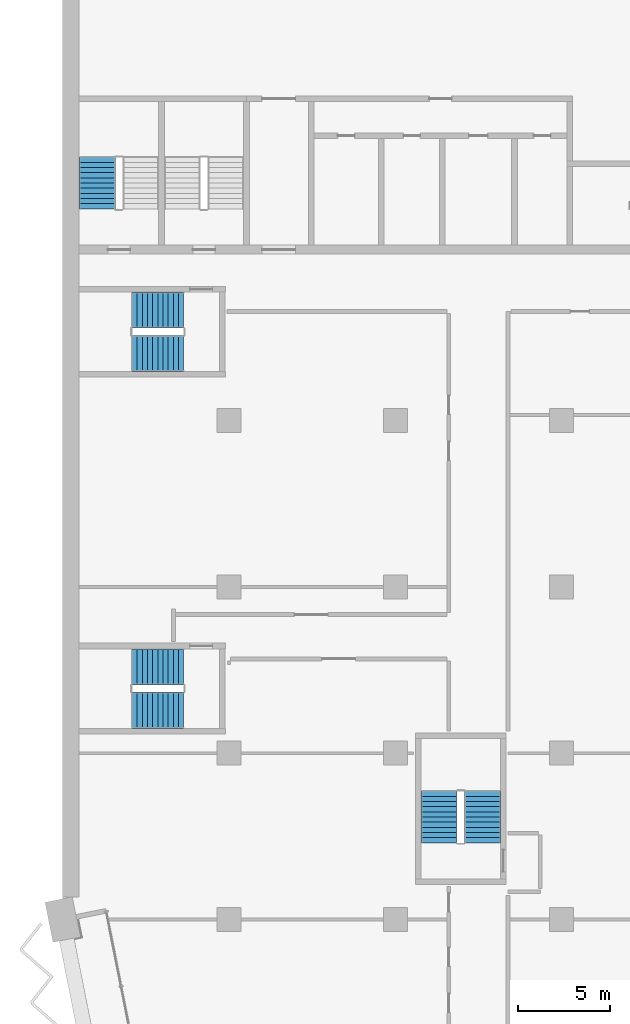
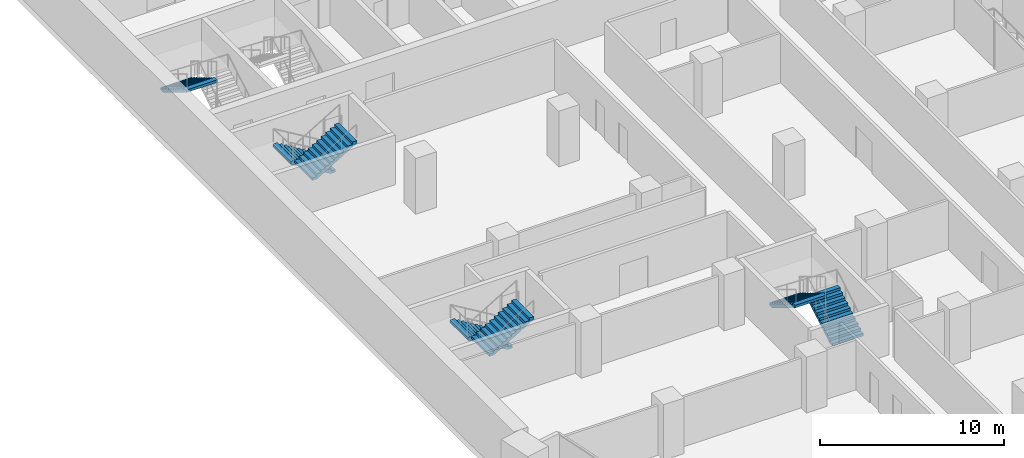
# One storey, part 16 of 23: 7 stair flights, 4 elements without a shape of their own.
"""IFC4 building model written with IfcOpenShell, lengths in metres."""

from ifc_helpers import new_model, si_unit, direction, frame, origin, place, context, subcontext, project, spatial, polyline, outline, extrude, material, type_object, element, aggregate, save


model = new_model("IFC4")

# Units and contexts
model_context = context("Model", 3, precision=1e-05, world=origin(), true_north=direction((0.0, 1.0)))
body_context = subcontext(model_context, "Body", "Model", "MODEL_VIEW")
ifc_project = project(units=[si_unit("LENGTHUNIT", "METRE"), si_unit("AREAUNIT", "SQUARE_METRE"), si_unit("VOLUMEUNIT", "CUBIC_METRE"), si_unit("PLANEANGLEUNIT", "RADIAN"), si_unit("MASSUNIT", "GRAM", prefix="KILO")], contexts=[model_context])

# Site, building, storey
site_placement = place(None, origin())
site = spatial("IfcSite", under=ifc_project, at=site_placement, CompositionType="ELEMENT")
building_placement = place(site_placement, origin())
building = spatial("IfcBuilding", under=site, at=building_placement, Name="Hunhe Ridgeline Campus", CompositionType="ELEMENT")
storey_placement = place(building_placement, frame((0.0, 0.0, 103.300048828125)))
storey = spatial("IfcBuildingStorey", under=building, at=storey_placement, Name="L25", CompositionType="ELEMENT", Elevation=103.300048828125)

# Stair, stair flight
ifc_material = material(Name="Concrete C40", Category="concrete")
stair_type = type_object("IfcStairType", Name="Reinforced concrete dog-leg stair 1950 Concrete C40", PredefinedType="HALF_TURN_STAIR", material=ifc_material)
stair_1_placement = place(storey_placement, origin())
stair_1 = element("IfcStair", 1, at=stair_1_placement, inside=storey, type_object=stair_type, Name="L25 S3", PredefinedType="HALF_TURN_STAIR")
stair_flight_type = type_object("IfcStairFlightType", Name="Reinforced concrete stair flight 1950 Concrete C40", PredefinedType="STRAIGHT", material=ifc_material)
stair_flight_1_placement = place(storey_placement, frame((1.875, 68.25, 1.849853515625), z_axis=(0.0, 0.0, 1.0), x_axis=(0.0, -1.0, 0.0)))
stair_flight_1 = element("IfcStairFlight", 2, at=stair_flight_1_placement, type_object=stair_flight_type, Name="ST3 flight 2", NumberOfRisers=11, NumberOfTreads=10, PredefinedType="STRAIGHT", RiserHeight=0.168181818, TreadLength=0.28, context=body_context, shape_type="SweptSolid", body=[
    extrude(outline(polyline([(0.0, 0.0), (0.0, 0.168212890625), (0.280029296875, 0.168212890625), (0.280029296875, 0.33642578125), (0.56005859375, 0.33642578125), (0.56005859375, 0.504638671875), (0.840087890625, 0.504638671875), (0.840087890625, 0.672607421875), (1.1201171875, 0.672607421875), (1.1201171875, 0.8408203125), (1.39990234375, 0.8408203125), (1.39990234375, 1.009033203125), (1.679931640625, 1.009033203125), (1.679931640625, 1.17724609375), (1.9599609375, 1.17724609375), (1.9599609375, 1.345458984375), (2.239990234375, 1.345458984375), (2.239990234375, 1.513671875), (2.52001953125, 1.513671875), (2.52001953125, 1.681884765625), (2.800048828125, 1.681884765625), (2.800048828125, 1.85009765625), (2.800048828125, 1.5068359375), (0.291015625, 0.0), (0.0, 0.0)])), frame((0.0, 0.97509765625, 0.0), z_axis=(0.0, -1.0, 0.0), x_axis=(1.0, 0.0, 0.0)), (0.0, 0.0, 1.0), 1.949951171875),
    extrude(outline(polyline([(0.030029296875, 0.030029296875), (0.030029296875, 0.13818359375), (0.31005859375, 0.13818359375), (0.31005859375, 0.306396484375), (0.590087890625, 0.306396484375), (0.590087890625, 0.474609375), (0.8701171875, 0.474609375), (0.8701171875, 0.642578125), (1.14990234375, 0.642578125), (1.14990234375, 0.810791015625), (1.429931640625, 0.810791015625), (1.429931640625, 0.97900390625), (1.7099609375, 0.97900390625), (1.7099609375, 1.147216796875), (1.989990234375, 1.147216796875), (1.989990234375, 1.3154296875), (2.27001953125, 1.3154296875), (2.27001953125, 1.483642578125), (2.550048828125, 1.483642578125), (2.550048828125, 1.65185546875), (2.77001953125, 1.65185546875), (2.77001953125, 1.52392578125), (0.28271484375, 0.030029296875), (0.030029296875, 0.030029296875)])), frame((0.0, -0.070068359375, 0.0), z_axis=(0.0, -1.0, 0.0), x_axis=(1.0, 0.0, 0.0)), (0.0, 0.0, 1.0), 0.019775390625),
    extrude(outline(polyline([(0.030029296875, 0.030029296875), (0.030029296875, 0.13818359375), (0.31005859375, 0.13818359375), (0.31005859375, 0.306396484375), (0.590087890625, 0.306396484375), (0.590087890625, 0.474609375), (0.8701171875, 0.474609375), (0.8701171875, 0.642578125), (1.14990234375, 0.642578125), (1.14990234375, 0.810791015625), (1.429931640625, 0.810791015625), (1.429931640625, 0.97900390625), (1.7099609375, 0.97900390625), (1.7099609375, 1.147216796875), (1.989990234375, 1.147216796875), (1.989990234375, 1.3154296875), (2.27001953125, 1.3154296875), (2.27001953125, 1.483642578125), (2.550048828125, 1.483642578125), (2.550048828125, 1.65185546875), (2.77001953125, 1.65185546875), (2.77001953125, 1.52392578125), (0.28271484375, 0.030029296875), (0.030029296875, 0.030029296875)])), frame((0.0, 0.010009765625, 0.0), z_axis=(0.0, -1.0, 0.0), x_axis=(1.0, 0.0, 0.0)), (0.0, 0.0, 1.0), 0.019775390625),
    extrude(outline(polyline([(0.030029296875, 0.030029296875), (0.030029296875, 0.13818359375), (0.31005859375, 0.13818359375), (0.31005859375, 0.306396484375), (0.590087890625, 0.306396484375), (0.590087890625, 0.474609375), (0.8701171875, 0.474609375), (0.8701171875, 0.642578125), (1.14990234375, 0.642578125), (1.14990234375, 0.810791015625), (1.429931640625, 0.810791015625), (1.429931640625, 0.97900390625), (1.7099609375, 0.97900390625), (1.7099609375, 1.147216796875), (1.989990234375, 1.147216796875), (1.989990234375, 1.3154296875), (2.27001953125, 1.3154296875), (2.27001953125, 1.483642578125), (2.550048828125, 1.483642578125), (2.550048828125, 1.65185546875), (2.77001953125, 1.65185546875), (2.77001953125, 1.52392578125), (0.28271484375, 0.030029296875), (0.030029296875, 0.030029296875)])), frame((0.0, 0.090087890625, 0.0), z_axis=(0.0, -1.0, 0.0), x_axis=(1.0, 0.0, 0.0)), (0.0, 0.0, 1.0), 0.019775390625),
])
aggregate(stair_1, [stair_flight_1])

# Stair, stair flights
stair_2_placement = place(storey_placement, origin())
stair_2 = element("IfcStair", 3, at=stair_2_placement, inside=storey, type_object=stair_type, Name="L25 W3", PredefinedType="HALF_TURN_STAIR")
stair_flight_2_placement = place(storey_placement, frame((22.72509765625, 31.14990234375, 0.0), z_axis=(0.0, 0.0, 1.0), x_axis=(0.0, 1.0, 0.0)))
stair_flight_2 = element("IfcStairFlight", 4, at=stair_flight_2_placement, type_object=stair_flight_type, Name="ST9 flight 1", NumberOfRisers=11, NumberOfTreads=10, PredefinedType="STRAIGHT", RiserHeight=0.168181818, TreadLength=0.28, context=body_context, shape_type="SweptSolid", body=[
    extrude(outline(polyline([(0.0, 0.0), (0.0, 0.168212890625), (0.280029296875, 0.168212890625), (0.280029296875, 0.33642578125), (0.56005859375, 0.33642578125), (0.56005859375, 0.504638671875), (0.840087890625, 0.504638671875), (0.840087890625, 0.672607421875), (1.1201171875, 0.672607421875), (1.1201171875, 0.8408203125), (1.39990234375, 0.8408203125), (1.39990234375, 1.009033203125), (1.679931640625, 1.009033203125), (1.679931640625, 1.17724609375), (1.9599609375, 1.17724609375), (1.9599609375, 1.345458984375), (2.239990234375, 1.345458984375), (2.239990234375, 1.513671875), (2.52001953125, 1.513671875), (2.52001953125, 1.681884765625), (2.800048828125, 1.681884765625), (2.800048828125, 1.85009765625), (2.800048828125, 1.5068359375), (0.291015625, 0.0), (0.0, 0.0)])), frame((0.0, 0.97509765625, 0.0), z_axis=(0.0, -1.0, 0.0), x_axis=(1.0, 0.0, 0.0)), (0.0, 0.0, 1.0), 1.949951171875),
    extrude(outline(polyline([(0.030029296875, 0.030029296875), (0.030029296875, 0.13818359375), (0.31005859375, 0.13818359375), (0.31005859375, 0.306396484375), (0.590087890625, 0.306396484375), (0.590087890625, 0.474609375), (0.8701171875, 0.474609375), (0.8701171875, 0.642578125), (1.14990234375, 0.642578125), (1.14990234375, 0.810791015625), (1.429931640625, 0.810791015625), (1.429931640625, 0.97900390625), (1.7099609375, 0.97900390625), (1.7099609375, 1.147216796875), (1.989990234375, 1.147216796875), (1.989990234375, 1.3154296875), (2.27001953125, 1.3154296875), (2.27001953125, 1.483642578125), (2.550048828125, 1.483642578125), (2.550048828125, 1.65185546875), (2.77001953125, 1.65185546875), (2.77001953125, 1.52392578125), (0.28271484375, 0.030029296875), (0.030029296875, 0.030029296875)])), frame((0.0, -0.070068359375, 0.0), z_axis=(0.0, -1.0, 0.0), x_axis=(1.0, 0.0, 0.0)), (0.0, 0.0, 1.0), 0.019775390625),
    extrude(outline(polyline([(0.030029296875, 0.030029296875), (0.030029296875, 0.13818359375), (0.31005859375, 0.13818359375), (0.31005859375, 0.306396484375), (0.590087890625, 0.306396484375), (0.590087890625, 0.474609375), (0.8701171875, 0.474609375), (0.8701171875, 0.642578125), (1.14990234375, 0.642578125), (1.14990234375, 0.810791015625), (1.429931640625, 0.810791015625), (1.429931640625, 0.97900390625), (1.7099609375, 0.97900390625), (1.7099609375, 1.147216796875), (1.989990234375, 1.147216796875), (1.989990234375, 1.3154296875), (2.27001953125, 1.3154296875), (2.27001953125, 1.483642578125), (2.550048828125, 1.483642578125), (2.550048828125, 1.65185546875), (2.77001953125, 1.65185546875), (2.77001953125, 1.52392578125), (0.28271484375, 0.030029296875), (0.030029296875, 0.030029296875)])), frame((0.0, 0.010009765625, 0.0), z_axis=(0.0, -1.0, 0.0), x_axis=(1.0, 0.0, 0.0)), (0.0, 0.0, 1.0), 0.019775390625),
    extrude(outline(polyline([(0.030029296875, 0.030029296875), (0.030029296875, 0.13818359375), (0.31005859375, 0.13818359375), (0.31005859375, 0.306396484375), (0.590087890625, 0.306396484375), (0.590087890625, 0.474609375), (0.8701171875, 0.474609375), (0.8701171875, 0.642578125), (1.14990234375, 0.642578125), (1.14990234375, 0.810791015625), (1.429931640625, 0.810791015625), (1.429931640625, 0.97900390625), (1.7099609375, 0.97900390625), (1.7099609375, 1.147216796875), (1.989990234375, 1.147216796875), (1.989990234375, 1.3154296875), (2.27001953125, 1.3154296875), (2.27001953125, 1.483642578125), (2.550048828125, 1.483642578125), (2.550048828125, 1.65185546875), (2.77001953125, 1.65185546875), (2.77001953125, 1.52392578125), (0.28271484375, 0.030029296875), (0.030029296875, 0.030029296875)])), frame((0.0, 0.090087890625, 0.0), z_axis=(0.0, -1.0, 0.0), x_axis=(1.0, 0.0, 0.0)), (0.0, 0.0, 1.0), 0.019775390625),
])
stair_flight_3_placement = place(storey_placement, frame((20.375, 33.949951171875, 1.849853515625), z_axis=(0.0, 0.0, 1.0), x_axis=(0.0, -1.0, 0.0)))
stair_flight_3 = element("IfcStairFlight", 5, at=stair_flight_3_placement, type_object=stair_flight_type, Name="ST9 flight 2", NumberOfRisers=11, NumberOfTreads=10, PredefinedType="STRAIGHT", RiserHeight=0.168181818, TreadLength=0.28, context=body_context, shape_type="SweptSolid", body=[
    extrude(outline(polyline([(0.0, 0.0), (0.0, 0.168212890625), (0.280029296875, 0.168212890625), (0.280029296875, 0.33642578125), (0.56005859375, 0.33642578125), (0.56005859375, 0.504638671875), (0.840087890625, 0.504638671875), (0.840087890625, 0.672607421875), (1.1201171875, 0.672607421875), (1.1201171875, 0.8408203125), (1.39990234375, 0.8408203125), (1.39990234375, 1.009033203125), (1.679931640625, 1.009033203125), (1.679931640625, 1.17724609375), (1.9599609375, 1.17724609375), (1.9599609375, 1.345458984375), (2.239990234375, 1.345458984375), (2.239990234375, 1.513671875), (2.52001953125, 1.513671875), (2.52001953125, 1.681884765625), (2.800048828125, 1.681884765625), (2.800048828125, 1.85009765625), (2.800048828125, 1.5068359375), (0.291015625, 0.0), (0.0, 0.0)])), frame((0.0, 0.97509765625, 0.0), z_axis=(0.0, -1.0, 0.0), x_axis=(1.0, 0.0, 0.0)), (0.0, 0.0, 1.0), 1.949951171875),
    extrude(outline(polyline([(0.030029296875, 0.030029296875), (0.030029296875, 0.13818359375), (0.31005859375, 0.13818359375), (0.31005859375, 0.306396484375), (0.590087890625, 0.306396484375), (0.590087890625, 0.474609375), (0.8701171875, 0.474609375), (0.8701171875, 0.642578125), (1.14990234375, 0.642578125), (1.14990234375, 0.810791015625), (1.429931640625, 0.810791015625), (1.429931640625, 0.97900390625), (1.7099609375, 0.97900390625), (1.7099609375, 1.147216796875), (1.989990234375, 1.147216796875), (1.989990234375, 1.3154296875), (2.27001953125, 1.3154296875), (2.27001953125, 1.483642578125), (2.550048828125, 1.483642578125), (2.550048828125, 1.65185546875), (2.77001953125, 1.65185546875), (2.77001953125, 1.52392578125), (0.28271484375, 0.030029296875), (0.030029296875, 0.030029296875)])), frame((0.0, -0.070068359375, 0.0), z_axis=(0.0, -1.0, 0.0), x_axis=(1.0, 0.0, 0.0)), (0.0, 0.0, 1.0), 0.019775390625),
    extrude(outline(polyline([(0.030029296875, 0.030029296875), (0.030029296875, 0.13818359375), (0.31005859375, 0.13818359375), (0.31005859375, 0.306396484375), (0.590087890625, 0.306396484375), (0.590087890625, 0.474609375), (0.8701171875, 0.474609375), (0.8701171875, 0.642578125), (1.14990234375, 0.642578125), (1.14990234375, 0.810791015625), (1.429931640625, 0.810791015625), (1.429931640625, 0.97900390625), (1.7099609375, 0.97900390625), (1.7099609375, 1.147216796875), (1.989990234375, 1.147216796875), (1.989990234375, 1.3154296875), (2.27001953125, 1.3154296875), (2.27001953125, 1.483642578125), (2.550048828125, 1.483642578125), (2.550048828125, 1.65185546875), (2.77001953125, 1.65185546875), (2.77001953125, 1.52392578125), (0.28271484375, 0.030029296875), (0.030029296875, 0.030029296875)])), frame((0.0, 0.010009765625, 0.0), z_axis=(0.0, -1.0, 0.0), x_axis=(1.0, 0.0, 0.0)), (0.0, 0.0, 1.0), 0.019775390625),
    extrude(outline(polyline([(0.030029296875, 0.030029296875), (0.030029296875, 0.13818359375), (0.31005859375, 0.13818359375), (0.31005859375, 0.306396484375), (0.590087890625, 0.306396484375), (0.590087890625, 0.474609375), (0.8701171875, 0.474609375), (0.8701171875, 0.642578125), (1.14990234375, 0.642578125), (1.14990234375, 0.810791015625), (1.429931640625, 0.810791015625), (1.429931640625, 0.97900390625), (1.7099609375, 0.97900390625), (1.7099609375, 1.147216796875), (1.989990234375, 1.147216796875), (1.989990234375, 1.3154296875), (2.27001953125, 1.3154296875), (2.27001953125, 1.483642578125), (2.550048828125, 1.483642578125), (2.550048828125, 1.65185546875), (2.77001953125, 1.65185546875), (2.77001953125, 1.52392578125), (0.28271484375, 0.030029296875), (0.030029296875, 0.030029296875)])), frame((0.0, 0.090087890625, 0.0), z_axis=(0.0, -1.0, 0.0), x_axis=(1.0, 0.0, 0.0)), (0.0, 0.0, 1.0), 0.019775390625),
])
aggregate(stair_2, [stair_flight_2, stair_flight_3])

stair_3_placement = place(storey_placement, origin())
stair_3 = element("IfcStair", 6, at=stair_3_placement, inside=storey, type_object=stair_type, Name="L25 W1", PredefinedType="HALF_TURN_STAIR")
stair_flight_4_placement = place(storey_placement, frame((6.550048828125, 40.675048828125, 0.0), z_axis=(0.0, 0.0, 1.0), x_axis=(-1.0, 0.0, 0.0)))
stair_flight_4 = element("IfcStairFlight", 7, at=stair_flight_4_placement, type_object=stair_flight_type, Name="ST11 flight 1", NumberOfRisers=11, NumberOfTreads=10, PredefinedType="STRAIGHT", RiserHeight=0.168181818, TreadLength=0.28, context=body_context, shape_type="SweptSolid", body=[
    extrude(outline(polyline([(0.0, 0.0), (0.0, 0.168212890625), (0.280029296875, 0.168212890625), (0.280029296875, 0.33642578125), (0.56005859375, 0.33642578125), (0.56005859375, 0.504638671875), (0.840087890625, 0.504638671875), (0.840087890625, 0.672607421875), (1.1201171875, 0.672607421875), (1.1201171875, 0.8408203125), (1.39990234375, 0.8408203125), (1.39990234375, 1.009033203125), (1.679931640625, 1.009033203125), (1.679931640625, 1.17724609375), (1.9599609375, 1.17724609375), (1.9599609375, 1.345458984375), (2.239990234375, 1.345458984375), (2.239990234375, 1.513671875), (2.52001953125, 1.513671875), (2.52001953125, 1.681884765625), (2.800048828125, 1.681884765625), (2.800048828125, 1.85009765625), (2.800048828125, 1.5068359375), (0.291015625, 0.0), (0.0, 0.0)])), frame((0.0, 0.97509765625, 0.0), z_axis=(0.0, -1.0, 0.0), x_axis=(1.0, 0.0, 0.0)), (0.0, 0.0, 1.0), 1.949951171875),
    extrude(outline(polyline([(0.030029296875, 0.030029296875), (0.030029296875, 0.13818359375), (0.31005859375, 0.13818359375), (0.31005859375, 0.306396484375), (0.590087890625, 0.306396484375), (0.590087890625, 0.474609375), (0.8701171875, 0.474609375), (0.8701171875, 0.642578125), (1.14990234375, 0.642578125), (1.14990234375, 0.810791015625), (1.429931640625, 0.810791015625), (1.429931640625, 0.97900390625), (1.7099609375, 0.97900390625), (1.7099609375, 1.147216796875), (1.989990234375, 1.147216796875), (1.989990234375, 1.3154296875), (2.27001953125, 1.3154296875), (2.27001953125, 1.483642578125), (2.550048828125, 1.483642578125), (2.550048828125, 1.65185546875), (2.77001953125, 1.65185546875), (2.77001953125, 1.52392578125), (0.28271484375, 0.030029296875), (0.030029296875, 0.030029296875)])), frame((0.0, -0.070068359375, 0.0), z_axis=(0.0, -1.0, 0.0), x_axis=(1.0, 0.0, 0.0)), (0.0, 0.0, 1.0), 0.019775390625),
    extrude(outline(polyline([(0.030029296875, 0.030029296875), (0.030029296875, 0.13818359375), (0.31005859375, 0.13818359375), (0.31005859375, 0.306396484375), (0.590087890625, 0.306396484375), (0.590087890625, 0.474609375), (0.8701171875, 0.474609375), (0.8701171875, 0.642578125), (1.14990234375, 0.642578125), (1.14990234375, 0.810791015625), (1.429931640625, 0.810791015625), (1.429931640625, 0.97900390625), (1.7099609375, 0.97900390625), (1.7099609375, 1.147216796875), (1.989990234375, 1.147216796875), (1.989990234375, 1.3154296875), (2.27001953125, 1.3154296875), (2.27001953125, 1.483642578125), (2.550048828125, 1.483642578125), (2.550048828125, 1.65185546875), (2.77001953125, 1.65185546875), (2.77001953125, 1.52392578125), (0.28271484375, 0.030029296875), (0.030029296875, 0.030029296875)])), frame((0.0, 0.010009765625, 0.0), z_axis=(0.0, -1.0, 0.0), x_axis=(1.0, 0.0, 0.0)), (0.0, 0.0, 1.0), 0.019775390625),
    extrude(outline(polyline([(0.030029296875, 0.030029296875), (0.030029296875, 0.13818359375), (0.31005859375, 0.13818359375), (0.31005859375, 0.306396484375), (0.590087890625, 0.306396484375), (0.590087890625, 0.474609375), (0.8701171875, 0.474609375), (0.8701171875, 0.642578125), (1.14990234375, 0.642578125), (1.14990234375, 0.810791015625), (1.429931640625, 0.810791015625), (1.429931640625, 0.97900390625), (1.7099609375, 0.97900390625), (1.7099609375, 1.147216796875), (1.989990234375, 1.147216796875), (1.989990234375, 1.3154296875), (2.27001953125, 1.3154296875), (2.27001953125, 1.483642578125), (2.550048828125, 1.483642578125), (2.550048828125, 1.65185546875), (2.77001953125, 1.65185546875), (2.77001953125, 1.52392578125), (0.28271484375, 0.030029296875), (0.030029296875, 0.030029296875)])), frame((0.0, 0.090087890625, 0.0), z_axis=(0.0, -1.0, 0.0), x_axis=(1.0, 0.0, 0.0)), (0.0, 0.0, 1.0), 0.019775390625),
])
stair_flight_5_placement = place(storey_placement, frame((3.75, 38.324951171875, 1.849853515625), z_axis=(0.0, 0.0, 1.0), x_axis=(1.0, 0.0, 0.0)))
stair_flight_5 = element("IfcStairFlight", 8, at=stair_flight_5_placement, type_object=stair_flight_type, Name="ST11 flight 2", NumberOfRisers=11, NumberOfTreads=10, PredefinedType="STRAIGHT", RiserHeight=0.168181818, TreadLength=0.28, context=body_context, shape_type="SweptSolid", body=[
    extrude(outline(polyline([(0.0, 0.0), (0.0, 0.168212890625), (0.280029296875, 0.168212890625), (0.280029296875, 0.33642578125), (0.56005859375, 0.33642578125), (0.56005859375, 0.504638671875), (0.840087890625, 0.504638671875), (0.840087890625, 0.672607421875), (1.1201171875, 0.672607421875), (1.1201171875, 0.8408203125), (1.39990234375, 0.8408203125), (1.39990234375, 1.009033203125), (1.679931640625, 1.009033203125), (1.679931640625, 1.17724609375), (1.9599609375, 1.17724609375), (1.9599609375, 1.345458984375), (2.239990234375, 1.345458984375), (2.239990234375, 1.513671875), (2.52001953125, 1.513671875), (2.52001953125, 1.681884765625), (2.800048828125, 1.681884765625), (2.800048828125, 1.85009765625), (2.800048828125, 1.5068359375), (0.291015625, 0.0), (0.0, 0.0)])), frame((0.0, 0.97509765625, 0.0), z_axis=(0.0, -1.0, 0.0), x_axis=(1.0, 0.0, 0.0)), (0.0, 0.0, 1.0), 1.949951171875),
    extrude(outline(polyline([(0.030029296875, 0.030029296875), (0.030029296875, 0.13818359375), (0.31005859375, 0.13818359375), (0.31005859375, 0.306396484375), (0.590087890625, 0.306396484375), (0.590087890625, 0.474609375), (0.8701171875, 0.474609375), (0.8701171875, 0.642578125), (1.14990234375, 0.642578125), (1.14990234375, 0.810791015625), (1.429931640625, 0.810791015625), (1.429931640625, 0.97900390625), (1.7099609375, 0.97900390625), (1.7099609375, 1.147216796875), (1.989990234375, 1.147216796875), (1.989990234375, 1.3154296875), (2.27001953125, 1.3154296875), (2.27001953125, 1.483642578125), (2.550048828125, 1.483642578125), (2.550048828125, 1.65185546875), (2.77001953125, 1.65185546875), (2.77001953125, 1.52392578125), (0.28271484375, 0.030029296875), (0.030029296875, 0.030029296875)])), frame((0.0, -0.070068359375, 0.0), z_axis=(0.0, -1.0, 0.0), x_axis=(1.0, 0.0, 0.0)), (0.0, 0.0, 1.0), 0.019775390625),
    extrude(outline(polyline([(0.030029296875, 0.030029296875), (0.030029296875, 0.13818359375), (0.31005859375, 0.13818359375), (0.31005859375, 0.306396484375), (0.590087890625, 0.306396484375), (0.590087890625, 0.474609375), (0.8701171875, 0.474609375), (0.8701171875, 0.642578125), (1.14990234375, 0.642578125), (1.14990234375, 0.810791015625), (1.429931640625, 0.810791015625), (1.429931640625, 0.97900390625), (1.7099609375, 0.97900390625), (1.7099609375, 1.147216796875), (1.989990234375, 1.147216796875), (1.989990234375, 1.3154296875), (2.27001953125, 1.3154296875), (2.27001953125, 1.483642578125), (2.550048828125, 1.483642578125), (2.550048828125, 1.65185546875), (2.77001953125, 1.65185546875), (2.77001953125, 1.52392578125), (0.28271484375, 0.030029296875), (0.030029296875, 0.030029296875)])), frame((0.0, 0.010009765625, 0.0), z_axis=(0.0, -1.0, 0.0), x_axis=(1.0, 0.0, 0.0)), (0.0, 0.0, 1.0), 0.019775390625),
    extrude(outline(polyline([(0.030029296875, 0.030029296875), (0.030029296875, 0.13818359375), (0.31005859375, 0.13818359375), (0.31005859375, 0.306396484375), (0.590087890625, 0.306396484375), (0.590087890625, 0.474609375), (0.8701171875, 0.474609375), (0.8701171875, 0.642578125), (1.14990234375, 0.642578125), (1.14990234375, 0.810791015625), (1.429931640625, 0.810791015625), (1.429931640625, 0.97900390625), (1.7099609375, 0.97900390625), (1.7099609375, 1.147216796875), (1.989990234375, 1.147216796875), (1.989990234375, 1.3154296875), (2.27001953125, 1.3154296875), (2.27001953125, 1.483642578125), (2.550048828125, 1.483642578125), (2.550048828125, 1.65185546875), (2.77001953125, 1.65185546875), (2.77001953125, 1.52392578125), (0.28271484375, 0.030029296875), (0.030029296875, 0.030029296875)])), frame((0.0, 0.090087890625, 0.0), z_axis=(0.0, -1.0, 0.0), x_axis=(1.0, 0.0, 0.0)), (0.0, 0.0, 1.0), 0.019775390625),
])
aggregate(stair_3, [stair_flight_4, stair_flight_5])

stair_4_placement = place(storey_placement, origin())
stair_4 = element("IfcStair", 9, at=stair_4_placement, inside=storey, type_object=stair_type, Name="L25 W2", PredefinedType="HALF_TURN_STAIR")
stair_flight_6_placement = place(storey_placement, frame((6.550048828125, 59.97509765625, 0.0), z_axis=(0.0, 0.0, 1.0), x_axis=(-1.0, 0.0, 0.0)))
stair_flight_6 = element("IfcStairFlight", 10, at=stair_flight_6_placement, type_object=stair_flight_type, Name="ST12 flight 1", NumberOfRisers=11, NumberOfTreads=10, PredefinedType="STRAIGHT", RiserHeight=0.168181818, TreadLength=0.28, context=body_context, shape_type="SweptSolid", body=[
    extrude(outline(polyline([(0.0, 0.0), (0.0, 0.168212890625), (0.280029296875, 0.168212890625), (0.280029296875, 0.33642578125), (0.56005859375, 0.33642578125), (0.56005859375, 0.504638671875), (0.840087890625, 0.504638671875), (0.840087890625, 0.672607421875), (1.1201171875, 0.672607421875), (1.1201171875, 0.8408203125), (1.39990234375, 0.8408203125), (1.39990234375, 1.009033203125), (1.679931640625, 1.009033203125), (1.679931640625, 1.17724609375), (1.9599609375, 1.17724609375), (1.9599609375, 1.345458984375), (2.239990234375, 1.345458984375), (2.239990234375, 1.513671875), (2.52001953125, 1.513671875), (2.52001953125, 1.681884765625), (2.800048828125, 1.681884765625), (2.800048828125, 1.85009765625), (2.800048828125, 1.5068359375), (0.291015625, 0.0), (0.0, 0.0)])), frame((0.0, 0.97509765625, 0.0), z_axis=(0.0, -1.0, 0.0), x_axis=(1.0, 0.0, 0.0)), (0.0, 0.0, 1.0), 1.949951171875),
    extrude(outline(polyline([(0.030029296875, 0.030029296875), (0.030029296875, 0.13818359375), (0.31005859375, 0.13818359375), (0.31005859375, 0.306396484375), (0.590087890625, 0.306396484375), (0.590087890625, 0.474609375), (0.8701171875, 0.474609375), (0.8701171875, 0.642578125), (1.14990234375, 0.642578125), (1.14990234375, 0.810791015625), (1.429931640625, 0.810791015625), (1.429931640625, 0.97900390625), (1.7099609375, 0.97900390625), (1.7099609375, 1.147216796875), (1.989990234375, 1.147216796875), (1.989990234375, 1.3154296875), (2.27001953125, 1.3154296875), (2.27001953125, 1.483642578125), (2.550048828125, 1.483642578125), (2.550048828125, 1.65185546875), (2.77001953125, 1.65185546875), (2.77001953125, 1.52392578125), (0.28271484375, 0.030029296875), (0.030029296875, 0.030029296875)])), frame((0.0, -0.070068359375, 0.0), z_axis=(0.0, -1.0, 0.0), x_axis=(1.0, 0.0, 0.0)), (0.0, 0.0, 1.0), 0.019775390625),
    extrude(outline(polyline([(0.030029296875, 0.030029296875), (0.030029296875, 0.13818359375), (0.31005859375, 0.13818359375), (0.31005859375, 0.306396484375), (0.590087890625, 0.306396484375), (0.590087890625, 0.474609375), (0.8701171875, 0.474609375), (0.8701171875, 0.642578125), (1.14990234375, 0.642578125), (1.14990234375, 0.810791015625), (1.429931640625, 0.810791015625), (1.429931640625, 0.97900390625), (1.7099609375, 0.97900390625), (1.7099609375, 1.147216796875), (1.989990234375, 1.147216796875), (1.989990234375, 1.3154296875), (2.27001953125, 1.3154296875), (2.27001953125, 1.483642578125), (2.550048828125, 1.483642578125), (2.550048828125, 1.65185546875), (2.77001953125, 1.65185546875), (2.77001953125, 1.52392578125), (0.28271484375, 0.030029296875), (0.030029296875, 0.030029296875)])), frame((0.0, 0.010009765625, 0.0), z_axis=(0.0, -1.0, 0.0), x_axis=(1.0, 0.0, 0.0)), (0.0, 0.0, 1.0), 0.019775390625),
    extrude(outline(polyline([(0.030029296875, 0.030029296875), (0.030029296875, 0.13818359375), (0.31005859375, 0.13818359375), (0.31005859375, 0.306396484375), (0.590087890625, 0.306396484375), (0.590087890625, 0.474609375), (0.8701171875, 0.474609375), (0.8701171875, 0.642578125), (1.14990234375, 0.642578125), (1.14990234375, 0.810791015625), (1.429931640625, 0.810791015625), (1.429931640625, 0.97900390625), (1.7099609375, 0.97900390625), (1.7099609375, 1.147216796875), (1.989990234375, 1.147216796875), (1.989990234375, 1.3154296875), (2.27001953125, 1.3154296875), (2.27001953125, 1.483642578125), (2.550048828125, 1.483642578125), (2.550048828125, 1.65185546875), (2.77001953125, 1.65185546875), (2.77001953125, 1.52392578125), (0.28271484375, 0.030029296875), (0.030029296875, 0.030029296875)])), frame((0.0, 0.090087890625, 0.0), z_axis=(0.0, -1.0, 0.0), x_axis=(1.0, 0.0, 0.0)), (0.0, 0.0, 1.0), 0.019775390625),
])
stair_flight_7_placement = place(storey_placement, frame((3.75, 57.625, 1.849853515625), z_axis=(0.0, 0.0, 1.0), x_axis=(1.0, 0.0, 0.0)))
stair_flight_7 = element("IfcStairFlight", 11, at=stair_flight_7_placement, type_object=stair_flight_type, Name="ST12 flight 2", NumberOfRisers=11, NumberOfTreads=10, PredefinedType="STRAIGHT", RiserHeight=0.168181818, TreadLength=0.28, context=body_context, shape_type="SweptSolid", body=[
    extrude(outline(polyline([(0.0, 0.0), (0.0, 0.168212890625), (0.280029296875, 0.168212890625), (0.280029296875, 0.33642578125), (0.56005859375, 0.33642578125), (0.56005859375, 0.504638671875), (0.840087890625, 0.504638671875), (0.840087890625, 0.672607421875), (1.1201171875, 0.672607421875), (1.1201171875, 0.8408203125), (1.39990234375, 0.8408203125), (1.39990234375, 1.009033203125), (1.679931640625, 1.009033203125), (1.679931640625, 1.17724609375), (1.9599609375, 1.17724609375), (1.9599609375, 1.345458984375), (2.239990234375, 1.345458984375), (2.239990234375, 1.513671875), (2.52001953125, 1.513671875), (2.52001953125, 1.681884765625), (2.800048828125, 1.681884765625), (2.800048828125, 1.85009765625), (2.800048828125, 1.5068359375), (0.291015625, 0.0), (0.0, 0.0)])), frame((0.0, 0.97509765625, 0.0), z_axis=(0.0, -1.0, 0.0), x_axis=(1.0, 0.0, 0.0)), (0.0, 0.0, 1.0), 1.949951171875),
    extrude(outline(polyline([(0.030029296875, 0.030029296875), (0.030029296875, 0.13818359375), (0.31005859375, 0.13818359375), (0.31005859375, 0.306396484375), (0.590087890625, 0.306396484375), (0.590087890625, 0.474609375), (0.8701171875, 0.474609375), (0.8701171875, 0.642578125), (1.14990234375, 0.642578125), (1.14990234375, 0.810791015625), (1.429931640625, 0.810791015625), (1.429931640625, 0.97900390625), (1.7099609375, 0.97900390625), (1.7099609375, 1.147216796875), (1.989990234375, 1.147216796875), (1.989990234375, 1.3154296875), (2.27001953125, 1.3154296875), (2.27001953125, 1.483642578125), (2.550048828125, 1.483642578125), (2.550048828125, 1.65185546875), (2.77001953125, 1.65185546875), (2.77001953125, 1.52392578125), (0.28271484375, 0.030029296875), (0.030029296875, 0.030029296875)])), frame((0.0, -0.070068359375, 0.0), z_axis=(0.0, -1.0, 0.0), x_axis=(1.0, 0.0, 0.0)), (0.0, 0.0, 1.0), 0.019775390625),
    extrude(outline(polyline([(0.030029296875, 0.030029296875), (0.030029296875, 0.13818359375), (0.31005859375, 0.13818359375), (0.31005859375, 0.306396484375), (0.590087890625, 0.306396484375), (0.590087890625, 0.474609375), (0.8701171875, 0.474609375), (0.8701171875, 0.642578125), (1.14990234375, 0.642578125), (1.14990234375, 0.810791015625), (1.429931640625, 0.810791015625), (1.429931640625, 0.97900390625), (1.7099609375, 0.97900390625), (1.7099609375, 1.147216796875), (1.989990234375, 1.147216796875), (1.989990234375, 1.3154296875), (2.27001953125, 1.3154296875), (2.27001953125, 1.483642578125), (2.550048828125, 1.483642578125), (2.550048828125, 1.65185546875), (2.77001953125, 1.65185546875), (2.77001953125, 1.52392578125), (0.28271484375, 0.030029296875), (0.030029296875, 0.030029296875)])), frame((0.0, 0.010009765625, 0.0), z_axis=(0.0, -1.0, 0.0), x_axis=(1.0, 0.0, 0.0)), (0.0, 0.0, 1.0), 0.019775390625),
    extrude(outline(polyline([(0.030029296875, 0.030029296875), (0.030029296875, 0.13818359375), (0.31005859375, 0.13818359375), (0.31005859375, 0.306396484375), (0.590087890625, 0.306396484375), (0.590087890625, 0.474609375), (0.8701171875, 0.474609375), (0.8701171875, 0.642578125), (1.14990234375, 0.642578125), (1.14990234375, 0.810791015625), (1.429931640625, 0.810791015625), (1.429931640625, 0.97900390625), (1.7099609375, 0.97900390625), (1.7099609375, 1.147216796875), (1.989990234375, 1.147216796875), (1.989990234375, 1.3154296875), (2.27001953125, 1.3154296875), (2.27001953125, 1.483642578125), (2.550048828125, 1.483642578125), (2.550048828125, 1.65185546875), (2.77001953125, 1.65185546875), (2.77001953125, 1.52392578125), (0.28271484375, 0.030029296875), (0.030029296875, 0.030029296875)])), frame((0.0, 0.090087890625, 0.0), z_axis=(0.0, -1.0, 0.0), x_axis=(1.0, 0.0, 0.0)), (0.0, 0.0, 1.0), 0.019775390625),
])
aggregate(stair_4, [stair_flight_6, stair_flight_7])

save(model, "model.ifc")
